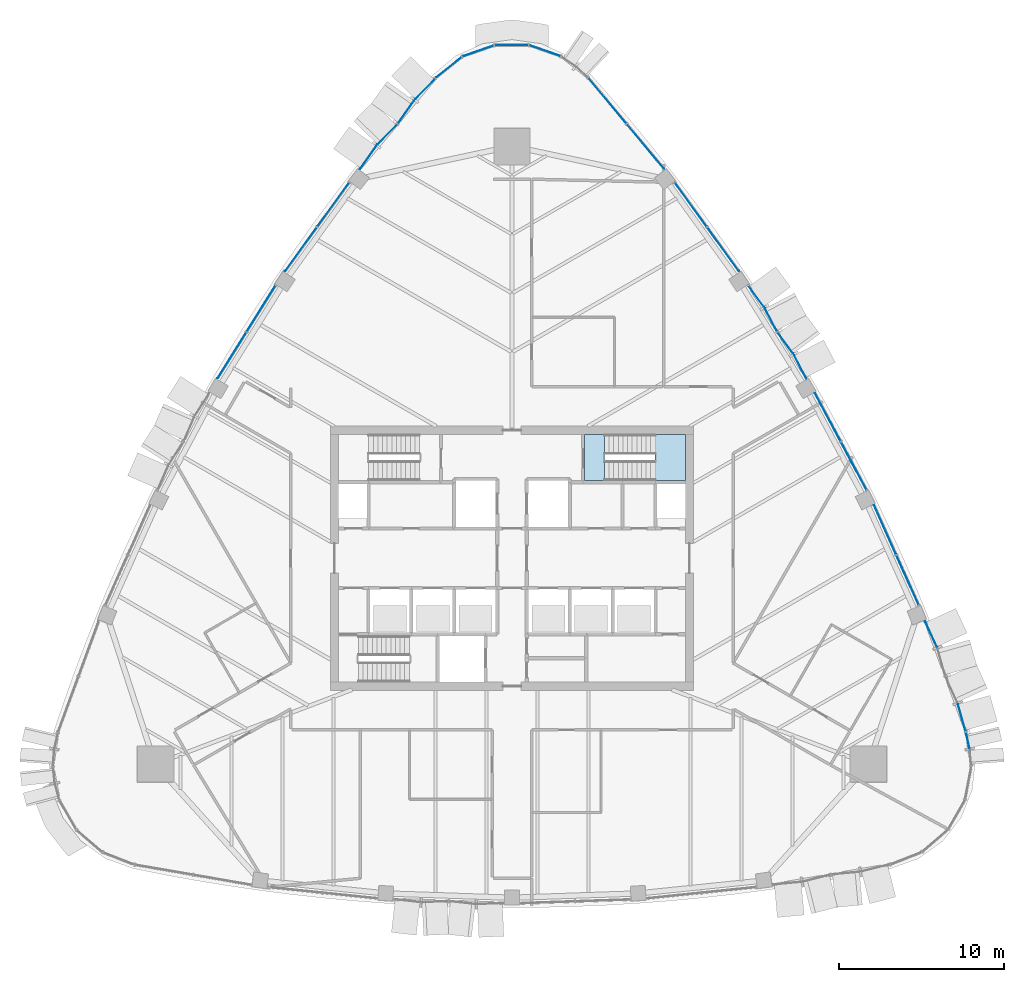
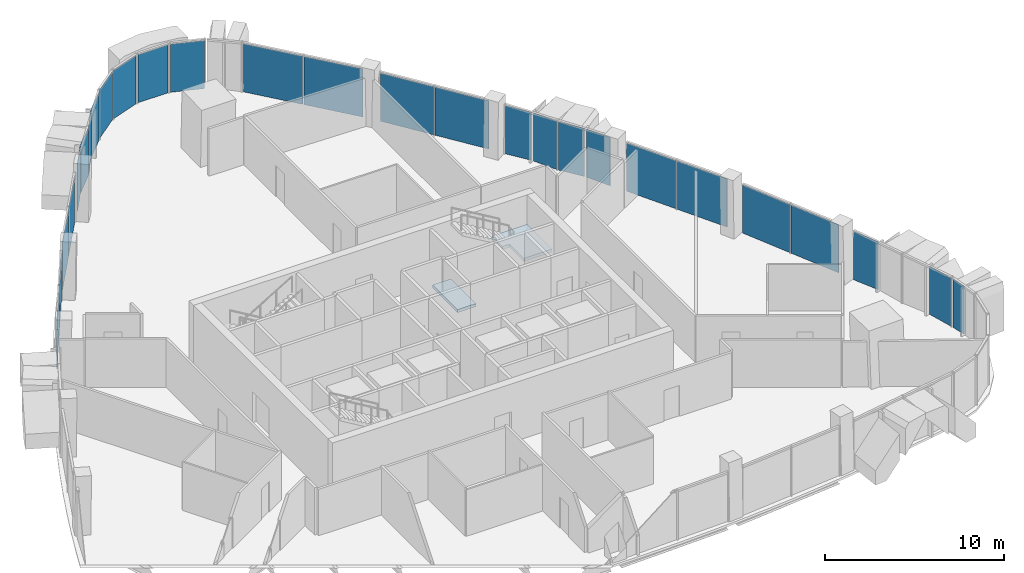
# One storey, part 9 of 18: 27 plates, 2 slabs, 15 elements without a shape of their own.
"""IFC4 building model written with IfcOpenShell, lengths in metres."""

from ifc_helpers import new_model, si_unit, direction, frame, origin, origin_2d, place, context, subcontext, project, spatial, polyline, rectangle, outline, extrude, material, layer, layer_set, type_object, element, aggregate, save


model = new_model("IFC4")

# Units and contexts
model_context = context("Model", 3, precision=1e-05, world=origin(), true_north=direction((0.0, 1.0)))
body_context = subcontext(model_context, "Body", "Model", "MODEL_VIEW")
ifc_project = project(units=[si_unit("LENGTHUNIT", "METRE"), si_unit("AREAUNIT", "SQUARE_METRE"), si_unit("VOLUMEUNIT", "CUBIC_METRE"), si_unit("PLANEANGLEUNIT", "RADIAN"), si_unit("MASSUNIT", "GRAM", prefix="KILO")], contexts=[model_context])

# Site, building, storey
site_placement = place(None, origin())
site = spatial("IfcSite", under=ifc_project, at=site_placement, CompositionType="ELEMENT")
building_placement = place(site_placement, origin())
building = spatial("IfcBuilding", under=site, at=building_placement, Name="Sierra Prisma Convention Tower", CompositionType="ELEMENT")
storey_placement = place(building_placement, frame((0.0, 0.0, 255.0)))
storey = spatial("IfcBuildingStorey", under=building, at=storey_placement, Name="L57", CompositionType="ELEMENT", Elevation=255.0)

# Curtain wall, plates
ifc_material_1 = material(Name="Aluminium and glass curtain wall", Category="aluminium")
ifc_layer_1 = layer(ifc_material_1, 0.179931640625)
ifc_layer_set_1 = layer_set([ifc_layer_1], Name="CW-1 Plain shaft curtain wall")
curtain_wall_type_1 = type_object("IfcCurtainWallType", Name="CW-1 Plain shaft curtain wall", PredefinedType="NOTDEFINED", material=ifc_layer_set_1)
curtain_wall_1_placement = place(storey_placement, origin())
curtain_wall_1 = element("IfcCurtainWall", 1, at=curtain_wall_1_placement, inside=storey, type_object=curtain_wall_type_1, Name="CW-1 NE2 L57", PredefinedType="NOTDEFINED")
ifc_material_2 = material(Name="Tinted glass bronze-grey IGU", Category="glass")
ifc_layer_2 = layer(ifc_material_2, 0.028076171875)
ifc_layer_set_2 = layer_set([ifc_layer_2], Name="CW-1 glass panel")
plate_type_1 = type_object("IfcPlateType", Name="CW-1 glass panel", PredefinedType="CURTAIN_PANEL", material=ifc_layer_set_2)
plate_1_placement = place(storey_placement, frame((23.968994140625, -1.328125, 0.0), z_axis=(0.0, 0.0, 1.0), x_axis=(-0.408634883454, 0.912697941284, 0.0)))
plate_1 = element("IfcPlate", 2, at=plate_1_placement, type_object=plate_type_1, Name="CW-1 panel NE2.1", PredefinedType="CURTAIN_PANEL", context=body_context, shape_type="SweptSolid", body=[
    extrude(rectangle(XDim=3.26416015625, YDim=0.028076171875, at=origin_2d()), origin(), (0.0, 0.0, 1.0), 3.280029296875),
])
plate_2_placement = place(storey_placement, frame((22.6064453125, 1.71484375, 0.0), z_axis=(0.0, 0.0, 1.0), x_axis=(-0.408634883454, 0.912697941284, 0.0)))
plate_2 = element("IfcPlate", 3, at=plate_2_placement, type_object=plate_type_1, Name="CW-1 panel NE2.2", PredefinedType="CURTAIN_PANEL", context=body_context, shape_type="SweptSolid", body=[
    extrude(rectangle(XDim=3.26416015625, YDim=0.028076171875, at=origin_2d()), origin(), (0.0, 0.0, 1.0), 3.280029296875),
])
aggregate(curtain_wall_1, [plate_1, plate_2])

curtain_wall_2_placement = place(storey_placement, origin())
curtain_wall_2 = element("IfcCurtainWall", 4, at=curtain_wall_2_placement, inside=storey, type_object=curtain_wall_type_1, Name="CW-1 NE3 L57", PredefinedType="NOTDEFINED")
plate_3_placement = place(storey_placement, frame((20.7060546875, 5.59619140625, 0.0), z_axis=(0.0, 0.0, 1.0), x_axis=(-0.470083287471, 0.882622061156, 0.0)))
plate_3 = element("IfcPlate", 5, at=plate_3_placement, type_object=plate_type_1, Name="CW-1 panel NE3.1", PredefinedType="CURTAIN_PANEL", context=body_context, shape_type="SweptSolid", body=[
    extrude(rectangle(XDim=3.27978515625, YDim=0.028076171875, at=origin_2d()), origin(), (0.0, 0.0, 1.0), 3.280029296875),
])
plate_4_placement = place(storey_placement, frame((19.13134765625, 8.552978515625, 0.0), z_axis=(0.0, 0.0, 1.0), x_axis=(-0.470083287471, 0.882622061156, 0.0)))
plate_4 = element("IfcPlate", 6, at=plate_4_placement, type_object=plate_type_1, Name="CW-1 panel NE3.2", PredefinedType="CURTAIN_PANEL", context=body_context, shape_type="SweptSolid", body=[
    extrude(rectangle(XDim=3.27978515625, YDim=0.028076171875, at=origin_2d()), origin(), (0.0, 0.0, 1.0), 3.280029296875),
])
aggregate(curtain_wall_2, [plate_3, plate_4])

curtain_wall_3_placement = place(storey_placement, origin())
curtain_wall_3 = element("IfcCurtainWall", 7, at=curtain_wall_3_placement, inside=storey, type_object=curtain_wall_type_1, Name="CW-1 NE5 L57", PredefinedType="NOTDEFINED")
plate_5_placement = place(storey_placement, frame((12.788330078125, 18.720703125, 0.0), z_axis=(0.0, 0.0, 1.0), x_axis=(-0.586102161407, 0.810237160586, 0.0)))
plate_5 = element("IfcPlate", 8, at=plate_5_placement, type_object=plate_type_1, Name="CW-1 panel NE5.1", PredefinedType="CURTAIN_PANEL", context=body_context, shape_type="SweptSolid", body=[
    extrude(rectangle(XDim=3.264892578125, YDim=0.028076171875, at=origin_2d()), origin(), (0.0, 0.0, 1.0), 3.280029296875),
])
plate_6_placement = place(storey_placement, frame((10.833740234375, 21.422607421875, 0.0), z_axis=(0.0, 0.0, 1.0), x_axis=(-0.586102161407, 0.810237160586, 0.0)))
plate_6 = element("IfcPlate", 9, at=plate_6_placement, type_object=plate_type_1, Name="CW-1 panel NE5.2", PredefinedType="CURTAIN_PANEL", context=body_context, shape_type="SweptSolid", body=[
    extrude(rectangle(XDim=3.264892578125, YDim=0.028076171875, at=origin_2d()), origin(), (0.0, 0.0, 1.0), 3.280029296875),
])
aggregate(curtain_wall_3, [plate_5, plate_6])

curtain_wall_4_placement = place(storey_placement, origin())
curtain_wall_4 = element("IfcCurtainWall", 10, at=curtain_wall_4_placement, inside=storey, type_object=curtain_wall_type_1, Name="CW-1 NE6 L57", PredefinedType="NOTDEFINED")
plate_7_placement = place(storey_placement, frame((8.0908203125, 24.948974609375, 0.0), z_axis=(0.0, 0.0, 1.0), x_axis=(-0.640129609041, 0.76826693514, 0.0)))
plate_7 = element("IfcPlate", 11, at=plate_7_placement, type_object=plate_type_1, Name="CW-1 panel NE6.1", PredefinedType="CURTAIN_PANEL", context=body_context, shape_type="SweptSolid", body=[
    extrude(rectangle(XDim=3.510986328125, YDim=0.028076171875, at=origin_2d()), origin(), (0.0, 0.0, 1.0), 3.280029296875),
])
plate_8_placement = place(storey_placement, frame((5.798583984375, 27.7001953125, 0.0), z_axis=(0.0, 0.0, 1.0), x_axis=(-0.640129609041, 0.76826693514, 0.0)))
plate_8 = element("IfcPlate", 12, at=plate_8_placement, type_object=plate_type_1, Name="CW-1 panel NE6.2", PredefinedType="CURTAIN_PANEL", context=body_context, shape_type="SweptSolid", body=[
    extrude(rectangle(XDim=3.510986328125, YDim=0.028076171875, at=origin_2d()), origin(), (0.0, 0.0, 1.0), 3.280029296875),
])
aggregate(curtain_wall_4, [plate_7, plate_8])

# Curtain wall, plate
curtain_wall_5_placement = place(storey_placement, origin())
curtain_wall_5 = element("IfcCurtainWall", 13, at=curtain_wall_5_placement, inside=storey, type_object=curtain_wall_type_1, Name="CW-1 N2 L57", PredefinedType="NOTDEFINED")
plate_9_placement = place(storey_placement, frame((2.02197265625, 30.743896484375, 0.0), z_axis=(0.0, 0.0, 1.0), x_axis=(-0.943828133921, 0.330436761906, 0.0)))
plate_9 = element("IfcPlate", 14, at=plate_9_placement, type_object=plate_type_1, Name="CW-1 panel N2.1", PredefinedType="CURTAIN_PANEL", context=body_context, shape_type="SweptSolid", body=[
    extrude(rectangle(XDim=1.9404296875, YDim=0.028076171875, at=origin_2d()), origin(), (0.0, 0.0, 1.0), 3.280029296875),
])
aggregate(curtain_wall_5, [plate_9])

curtain_wall_6_placement = place(storey_placement, origin())
curtain_wall_6 = element("IfcCurtainWall", 15, at=curtain_wall_6_placement, inside=storey, type_object=curtain_wall_type_1, Name="CW-1 N3 L57", PredefinedType="NOTDEFINED")
plate_10_placement = place(storey_placement, frame((0.0, 31.087646484375, 0.0), z_axis=(0.0, 0.0, 1.0), x_axis=(-1.0, 0.0, 0.0)))
plate_10 = element("IfcPlate", 16, at=plate_10_placement, type_object=plate_type_1, Name="CW-1 panel N3.1", PredefinedType="CURTAIN_PANEL", context=body_context, shape_type="SweptSolid", body=[
    extrude(rectangle(XDim=1.9404296875, YDim=0.028076171875, at=origin_2d()), origin(), (0.0, 0.0, 1.0), 3.280029296875),
])
aggregate(curtain_wall_6, [plate_10])

curtain_wall_7_placement = place(storey_placement, origin())
curtain_wall_7 = element("IfcCurtainWall", 17, at=curtain_wall_7_placement, inside=storey, type_object=curtain_wall_type_1, Name="CW-1 N4 L57", PredefinedType="NOTDEFINED")
plate_11_placement = place(storey_placement, frame((-2.02197265625, 30.743896484375, 0.0), z_axis=(0.0, 0.0, 1.0), x_axis=(-0.943828133921, -0.330436761906, 0.0)))
plate_11 = element("IfcPlate", 18, at=plate_11_placement, type_object=plate_type_1, Name="CW-1 panel N4.1", PredefinedType="CURTAIN_PANEL", context=body_context, shape_type="SweptSolid", body=[
    extrude(rectangle(XDim=1.9404296875, YDim=0.028076171875, at=origin_2d()), origin(), (0.0, 0.0, 1.0), 3.280029296875),
])
aggregate(curtain_wall_7, [plate_11])

curtain_wall_8_placement = place(storey_placement, origin())
curtain_wall_8 = element("IfcCurtainWall", 19, at=curtain_wall_8_placement, inside=storey, type_object=curtain_wall_type_1, Name="CW-1 N5 L57", PredefinedType="NOTDEFINED")
plate_12_placement = place(storey_placement, frame((-3.81689453125, 29.75146484375, 0.0), z_axis=(0.0, 0.0, 1.0), x_axis=(-0.781623092763, -0.623751024737, 0.0)))
plate_12 = element("IfcPlate", 20, at=plate_12_placement, type_object=plate_type_1, Name="CW-1 panel N5.1", PredefinedType="CURTAIN_PANEL", context=body_context, shape_type="SweptSolid", body=[
    extrude(rectangle(XDim=1.9404296875, YDim=0.028076171875, at=origin_2d()), origin(), (0.0, 0.0, 1.0), 3.280029296875),
])
aggregate(curtain_wall_8, [plate_12])

# Curtain wall, plates
curtain_wall_9_placement = place(storey_placement, origin())
curtain_wall_9 = element("IfcCurtainWall", 21, at=curtain_wall_9_placement, inside=storey, type_object=curtain_wall_type_1, Name="CW-1 NW2 L57", PredefinedType="NOTDEFINED")
plate_13_placement = place(storey_placement, frame((-10.83447265625, 21.421630859375, 0.0), z_axis=(0.0, 0.0, 1.0), x_axis=(-0.586102161407, -0.810237160586, 0.0)))
plate_13 = element("IfcPlate", 22, at=plate_13_placement, type_object=plate_type_1, Name="CW-1 panel NW2.1", PredefinedType="CURTAIN_PANEL", context=body_context, shape_type="SweptSolid", body=[
    extrude(rectangle(XDim=3.263916015625, YDim=0.028076171875, at=origin_2d()), origin(), (0.0, 0.0, 1.0), 3.280029296875),
])
plate_14_placement = place(storey_placement, frame((-12.78857421875, 18.72021484375, 0.0), z_axis=(0.0, 0.0, 1.0), x_axis=(-0.586102161407, -0.810237160586, 0.0)))
plate_14 = element("IfcPlate", 23, at=plate_14_placement, type_object=plate_type_1, Name="CW-1 panel NW2.2", PredefinedType="CURTAIN_PANEL", context=body_context, shape_type="SweptSolid", body=[
    extrude(rectangle(XDim=3.263916015625, YDim=0.028076171875, at=origin_2d()), origin(), (0.0, 0.0, 1.0), 3.280029296875),
])
aggregate(curtain_wall_9, [plate_13, plate_14])

curtain_wall_10_placement = place(storey_placement, origin())
curtain_wall_10 = element("IfcCurtainWall", 24, at=curtain_wall_10_placement, inside=storey, type_object=curtain_wall_type_1, Name="CW-1 NW3 L57", PredefinedType="NOTDEFINED")
plate_15_placement = place(storey_placement, frame((-15.199462890625, 15.1337890625, 0.0), z_axis=(0.0, 0.0, 1.0), x_axis=(-0.529331483166, -0.848415099423, 0.0)))
plate_15 = element("IfcPlate", 25, at=plate_15_placement, type_object=plate_type_1, Name="CW-1 panel NW3.1", PredefinedType="CURTAIN_PANEL", context=body_context, shape_type="SweptSolid", body=[
    extrude(rectangle(XDim=3.27978515625, YDim=0.028076171875, at=origin_2d()), origin(), (0.0, 0.0, 1.0), 3.280029296875),
])
plate_16_placement = place(storey_placement, frame((-16.97265625, 12.291748046875, 0.0), z_axis=(0.0, 0.0, 1.0), x_axis=(-0.529331483166, -0.848415099423, 0.0)))
plate_16 = element("IfcPlate", 26, at=plate_16_placement, type_object=plate_type_1, Name="CW-1 panel NW3.2", PredefinedType="CURTAIN_PANEL", context=body_context, shape_type="SweptSolid", body=[
    extrude(rectangle(XDim=3.27978515625, YDim=0.028076171875, at=origin_2d()), origin(), (0.0, 0.0, 1.0), 3.280029296875),
])
aggregate(curtain_wall_10, [plate_15, plate_16])

# Curtain wall, plate
ifc_material_3 = material(Name="Aluminium and glass curtain wall", Category="aluminium")
ifc_layer_3 = layer(ifc_material_3, 0.179931640625)
ifc_layer_set_3 = layer_set([ifc_layer_3], Name="CW-2 Faceted crystal curtain wall")
curtain_wall_type_2 = type_object("IfcCurtainWallType", Name="CW-2 Faceted crystal curtain wall", PredefinedType="NOTDEFINED", material=ifc_layer_set_3)
curtain_wall_11_placement = place(storey_placement, origin())
curtain_wall_11 = element("IfcCurtainWall", 27, at=curtain_wall_11_placement, inside=storey, type_object=curtain_wall_type_2, Name="CW-2 SE5 L57", PredefinedType="NOTDEFINED")
ifc_material_4 = material(Name="Tinted glass bronze-grey IGU", Category="glass")
ifc_layer_4 = layer(ifc_material_4, 0.028076171875)
ifc_layer_set_4 = layer_set([ifc_layer_4], Name="CW-2 crystal pane")
plate_type_2 = type_object("IfcPlateType", Name="CW-2 crystal pane", PredefinedType="CURTAIN_PANEL", material=ifc_layer_set_4)
plate_17_placement = place(storey_placement, frame((27.529052734375, -10.61083984375, 0.0), z_axis=(0.974041122762, 0.2263711359, 0.0), x_axis=(0.2263711359, -0.974041122762, 0.0)))
plate_17 = element("IfcPlate", 28, at=plate_17_placement, type_object=plate_type_2, Name="CW-2 pane SE5.1.2", PredefinedType="CURTAIN_PANEL", context=body_context, shape_type="SweptSolid", body=[
    extrude(outline(polyline([(0.0, 0.0), (0.9080946006333775, 0.0), (0.9080946006333775, -3.280029296875), (0.0, -3.280029296875), (0.0, 0.0)])), origin(), (0.0, 0.0, -1.0), 0.028076171875),
])
aggregate(curtain_wall_11, [plate_17])

# Curtain wall, plates
curtain_wall_12_placement = place(storey_placement, origin())
curtain_wall_12 = element("IfcCurtainWall", 29, at=curtain_wall_12_placement, inside=storey, type_object=curtain_wall_type_2, Name="CW-2 NE1 L57", PredefinedType="NOTDEFINED")
plate_18_placement = place(storey_placement, frame((27.494384765625, -10.475830078125, 0.0), z_axis=(0.962677903938, 0.270649687364, 0.0), x_axis=(-0.270649687364, 0.962677903938, 0.0)))
plate_18 = element("IfcPlate", 30, at=plate_18_placement, type_object=plate_type_2, Name="CW-2 pane NE1.1.1", PredefinedType="CURTAIN_PANEL", context=body_context, shape_type="SweptSolid", body=[
    extrude(outline(polyline([(0.0, 0.0), (1.6958614638367486, 0.0), (1.6958614638367486, 3.280029296875), (0.0, 3.280029296875), (0.0, 0.0)])), origin(), (0.0, 0.0, -1.0), 0.028076171875),
])
plate_19_placement = place(storey_placement, frame((25.045654296875, -3.820068359375, 0.0), z_axis=(0.908493731893, 0.417898479431, 0.0), x_axis=(0.417898479431, -0.908493731893, 0.0)))
plate_19 = element("IfcPlate", 31, at=plate_19_placement, type_object=plate_type_2, Name="CW-2 pane NE1.2.2", PredefinedType="CURTAIN_PANEL", context=body_context, shape_type="SweptSolid", body=[
    extrude(outline(polyline([(0.0, 0.0), (1.695962702091373, 0.0), (1.695962702091373, -3.280029296875), (0.0, -3.280029296875), (0.0, 0.0)])), origin(), (0.0, 0.0, -1.0), 0.028076171875),
])
aggregate(curtain_wall_12, [plate_18, plate_19])

curtain_wall_13_placement = place(storey_placement, origin())
curtain_wall_13 = element("IfcCurtainWall", 32, at=curtain_wall_13_placement, inside=storey, type_object=curtain_wall_type_2, Name="CW-2 NE4 L57", PredefinedType="NOTDEFINED")
plate_20_placement = place(storey_placement, frame((17.8408203125, 10.900390625, 0.0), z_axis=(0.887302793015, 0.461187330167, 0.0), x_axis=(-0.461187330167, 0.887302793015, 0.0)))
plate_20 = element("IfcPlate", 33, at=plate_20_placement, type_object=plate_type_2, Name="CW-2 pane NE4.1.1", PredefinedType="CURTAIN_PANEL", context=body_context, shape_type="SweptSolid", body=[
    extrude(outline(polyline([(0.0, 0.0), (1.58018167012636, 0.0), (1.58018167012636, 3.280029296875), (0.0, 3.280029296875), (0.0, 0.0)])), origin(), (0.0, 0.0, -1.0), 0.028076171875),
])
plate_21_placement = place(storey_placement, frame((16.1044921875, 13.68310546875, 0.0), z_axis=(0.804262836415, 0.594273750019, 0.0), x_axis=(0.594273750019, -0.804262836415, 0.0)))
plate_21 = element("IfcPlate", 34, at=plate_21_placement, type_object=plate_type_2, Name="CW-2 pane NE4.1.2", PredefinedType="CURTAIN_PANEL", context=body_context, shape_type="SweptSolid", body=[
    extrude(outline(polyline([(0.0, 0.0), (1.5800207290315735, 0.0), (1.5800207290315735, -3.280029296875), (0.0, -3.280029296875), (0.0, 0.0)])), origin(), (0.0, 0.0, -1.0), 0.028076171875),
])
plate_22_placement = place(storey_placement, frame((16.067626953125, 13.74267578125, 0.0), z_axis=(0.887269924728, 0.461250561705, 0.0), x_axis=(-0.461250561705, 0.887269924728, 0.0)))
plate_22 = element("IfcPlate", 35, at=plate_22_placement, type_object=plate_type_2, Name="CW-2 pane NE4.2.1", PredefinedType="CURTAIN_PANEL", context=body_context, shape_type="SweptSolid", body=[
    extrude(outline(polyline([(0.0, 0.0), (1.5799650474798763, 0.0), (1.5799650474798763, 3.2800292968749996), (0.0, 3.2800292968749996), (0.0, 0.0)])), origin(), (0.0, 0.0, -1.0), 0.028076171875),
])
plate_23_placement = place(storey_placement, frame((14.331298828125, 16.525390625, 0.0), z_axis=(0.804262836415, 0.594273750019, 0.0), x_axis=(0.594273750019, -0.804262836415, 0.0)))
plate_23 = element("IfcPlate", 36, at=plate_23_placement, type_object=plate_type_2, Name="CW-2 pane NE4.2.2", PredefinedType="CURTAIN_PANEL", context=body_context, shape_type="SweptSolid", body=[
    extrude(outline(polyline([(0.0, 0.0), (1.5800207290315735, 0.0), (1.5800207290315735, -3.280029296875), (0.0, -3.280029296875), (0.0, 0.0)])), origin(), (0.0, 0.0, -1.0), 0.028076171875),
])
aggregate(curtain_wall_13, [plate_20, plate_21, plate_22, plate_23])

curtain_wall_14_placement = place(storey_placement, origin())
curtain_wall_14 = element("IfcCurtainWall", 37, at=curtain_wall_14_placement, inside=storey, type_object=curtain_wall_type_2, Name="CW-2 NW1 L57", PredefinedType="NOTDEFINED")
plate_24_placement = place(storey_placement, frame((-4.6748046875, 29.048828125, 0.0), z_axis=(-0.715690688383, 0.698417381343, 0.0), x_axis=(-0.698417381343, -0.715690688383, 0.0)))
plate_24 = element("IfcPlate", 38, at=plate_24_placement, type_object=plate_type_2, Name="CW-2 pane NW1.1.1", PredefinedType="CURTAIN_PANEL", context=body_context, shape_type="SweptSolid", body=[
    extrude(outline(polyline([(0.0, 0.0), (1.6960779387001965, 0.0), (1.6960779387001965, 3.280029296875), (0.0, 3.280029296875), (0.0, 0.0)])), origin(), (0.0, 0.0, -1.0), 0.028076171875),
])
plate_25_placement = place(storey_placement, frame((-6.92236328125, 26.351318359375, 0.0), z_axis=(-0.816129153325, 0.577869539856, 0.0), x_axis=(0.577869539856, 0.816129153325, 0.0)))
plate_25 = element("IfcPlate", 39, at=plate_25_placement, type_object=plate_type_2, Name="CW-2 pane NW1.1.2", PredefinedType="CURTAIN_PANEL", context=body_context, shape_type="SweptSolid", body=[
    extrude(outline(polyline([(0.0, 0.0), (1.695850708784213, 0.0), (1.695850708784213, -3.280029296875), (0.0, -3.280029296875), (0.0, 0.0)])), origin(), (0.0, 0.0, -1.0), 0.028076171875),
])
plate_26_placement = place(storey_placement, frame((-6.967041015625, 26.297607421875, 0.0), z_axis=(-0.715620463433, 0.698489335864, 0.0), x_axis=(-0.698489335864, -0.715620463433, 0.0)))
plate_26 = element("IfcPlate", 40, at=plate_26_placement, type_object=plate_type_2, Name="CW-2 pane NW1.2.1", PredefinedType="CURTAIN_PANEL", context=body_context, shape_type="SweptSolid", body=[
    extrude(outline(polyline([(0.0, 0.0), (1.695903218100168, 0.0), (1.695903218100168, 3.280029296875), (0.0, 3.280029296875), (0.0, 0.0)])), origin(), (0.0, 0.0, -1.0), 0.028076171875),
])
plate_27_placement = place(storey_placement, frame((-9.214599609375, 23.600341796875, 0.0), z_axis=(-0.816129153325, 0.577869539856, 0.0), x_axis=(0.577869539856, 0.816129153325, 0.0)))
plate_27 = element("IfcPlate", 41, at=plate_27_placement, type_object=plate_type_2, Name="CW-2 pane NW1.2.2", PredefinedType="CURTAIN_PANEL", context=body_context, shape_type="SweptSolid", body=[
    extrude(outline(polyline([(0.0, 0.0), (1.695850708784213, 0.0), (1.695850708784213, -3.280029296875), (0.0, -3.280029296875), (0.0, 0.0)])), origin(), (0.0, 0.0, -1.0), 0.028076171875),
])
aggregate(curtain_wall_14, [plate_24, plate_25, plate_26, plate_27])

# Stair, slab
ifc_material_5 = material(Name="Concrete C30/37", Category="concrete")
stair_type = type_object("IfcStairType", Name="Stair dog-leg 1200 RC", PredefinedType="HALF_TURN_STAIR", material=ifc_material_5)
stair_placement = place(storey_placement, origin())
stair = element("IfcStair", 42, at=stair_placement, inside=storey, type_object=stair_type, Name="L57 S4", PredefinedType="HALF_TURN_STAIR")
ifc_material_6 = material(Name="Concrete C35/45", Category="concrete")
ifc_layer_5 = layer(ifc_material_6, 0.199951171875)
ifc_layer_set_5 = layer_set([ifc_layer_5], Name="Stair landing slab")
slab_type = type_object("IfcSlabType", Name="Stair landing slab", PredefinedType="LANDING", material=ifc_layer_set_5)
slab_1_placement = place(storey_placement, frame((0.0, 0.0, 1.800048828125)))
slab_1 = element("IfcSlab", 43, at=slab_1_placement, type_object=slab_type, Name="S4 landing 1", PredefinedType="LANDING", context=body_context, shape_type="SweptSolid", body=[
    extrude(outline(polyline([(10.5, 7.5), (10.5, 4.699951171875), (8.677978515625, 4.699951171875), (8.677978515625, 6.300048828125), (8.22998046875, 6.300048828125), (8.22998046875, 7.5), (10.5, 7.5)])), origin(), (0.0, 0.0, 1.0), 0.199951171875),
])
aggregate(stair, [slab_1])

# Slab
slab_2_placement = place(storey_placement, frame((0.0, 0.0, -0.199951171875)))
element("IfcSlab", 44, at=slab_2_placement, inside=storey, type_object=slab_type, Name="S4 floor landing L57", PredefinedType="LANDING", context=body_context, shape_type="SweptSolid", body=[
    extrude(outline(polyline([(4.39990234375, 4.699951171875), (5.60205078125, 4.699951171875), (5.60205078125, 7.5), (4.39990234375, 7.5), (4.39990234375, 4.699951171875)])), origin(), (0.0, 0.0, 1.0), 0.199951171875),
])

save(model, "model.ifc")
